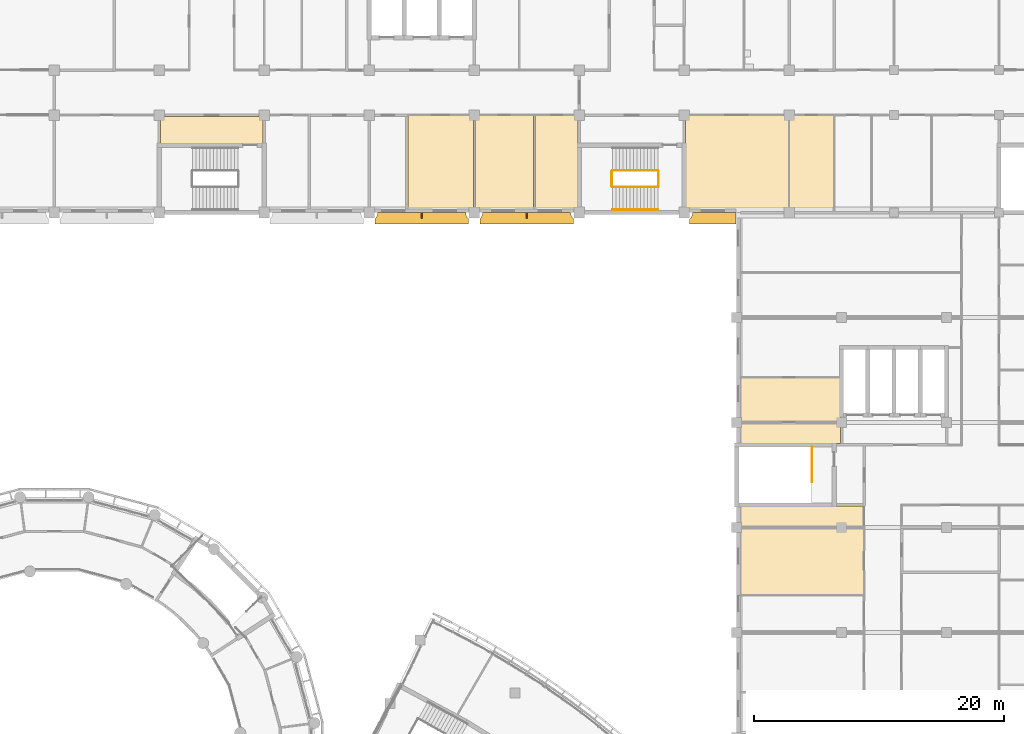
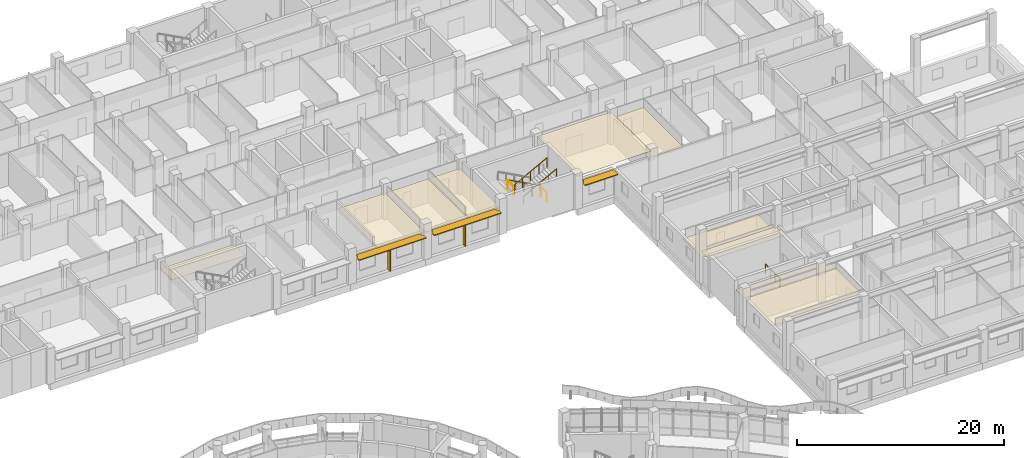
# One storey, part 103 of 109: 10 coverings, 6 railings, 5 shading devices.
"""IFC4 building model written with IfcOpenShell, lengths in metres."""

from ifc_helpers import new_model, si_unit, direction, frame, origin, origin_2d, place, context, subcontext, project, spatial, polyline, rectangle, circle, outline, extrude, material, layer, layer_set, material_profile, profile_set, type_object, element, save


model = new_model("IFC4")

# Units and contexts
model_context = context("Model", 3, precision=1e-05, world=origin(), true_north=direction((0.0, 1.0)))
body_context = subcontext(model_context, "Body", "Model", "MODEL_VIEW")
ifc_project = project(units=[si_unit("LENGTHUNIT", "METRE"), si_unit("AREAUNIT", "SQUARE_METRE"), si_unit("VOLUMEUNIT", "CUBIC_METRE"), si_unit("PLANEANGLEUNIT", "RADIAN"), si_unit("MASSUNIT", "GRAM", prefix="KILO")], contexts=[model_context])

# Site, building, storey
site_placement = place(None, origin())
site = spatial("IfcSite", under=ifc_project, at=site_placement, CompositionType="ELEMENT")
building_placement = place(site_placement, origin())
building = spatial("IfcBuilding", under=site, at=building_placement, Name="Bougainvillea Quay General Hospital", CompositionType="ELEMENT")
storey_placement = place(building_placement, frame((0.0, 0.0, 12.60009765625)))
storey = spatial("IfcBuildingStorey", under=building, at=storey_placement, Name="L02", CompositionType="ELEMENT", Elevation=12.60009765625)

# Railings
ifc_material_1 = material(Name="Stainless steel 304 balustrade", Category="steel")
railing_type_1 = type_object("IfcRailingType", Name="Stair guard 1100", PredefinedType="GUARDRAIL", material=ifc_material_1)
railing_1_placement = place(storey_placement, frame((169.824951171875, 98.824951171875, 0.0)))
element("IfcRailing", 1, at=railing_1_placement, inside=storey, type_object=railing_type_1, Name="L02 ST-T1 top well guard 1", PredefinedType="GUARDRAIL", context=body_context, shape_type="SweptSolid", body=[
    extrude(circle(Radius=0.02392578125, at=origin_2d()), frame((0.0, 0.0, 1.076171875), z_axis=(0.0, -1.0, 0.0), x_axis=(1.0, 0.0, 0.0)), (0.0, 0.0, 1.0), 2.800048828125),
    extrude(circle(Radius=0.02099609375, at=origin_2d()), origin(), (0.0, 0.0, 1.0), 1.052001953125),
    extrude(circle(Radius=0.02099609375, at=origin_2d()), frame((0.0, -0.933349609375, 0.0)), (0.0, 0.0, 1.0), 1.052001953125),
    extrude(circle(Radius=0.02099609375, at=origin_2d()), frame((0.0, -1.86669921875, 0.0)), (0.0, 0.0, 1.0), 1.052001953125),
    extrude(circle(Radius=0.02099609375, at=origin_2d()), frame((0.0, -2.800048828125, 0.0)), (0.0, 0.0, 1.0), 1.052001953125),
])
railing_2_placement = place(storey_placement, frame((157.5, 120.949951171875, 0.14990234375)))
element("IfcRailing", 2, at=railing_2_placement, inside=storey, type_object=railing_type_1, Name="L02 ST-B4 stair guard 1", PredefinedType="GUARDRAIL", context=body_context, shape_type="SweptSolid", body=[
    extrude(circle(Radius=0.02392578125, at=origin_2d()), frame((0.0, 0.0, 1.076171875), z_axis=(-0.881479091078, 0.0, 0.472223053219), x_axis=(0.0, -1.0, 0.0)), (0.0, 0.0, 1.0), 4.12939453125),
    extrude(circle(Radius=0.02099609375, at=origin_2d()), origin(), (0.0, 0.0, 1.0), 1.052001953125),
    extrude(circle(Radius=0.02099609375, at=origin_2d()), frame((-0.909912109375, 0.0, 0.487548828125)), (0.0, 0.0, 1.0), 1.052001953125),
    extrude(circle(Radius=0.02099609375, at=origin_2d()), frame((-1.81982421875, 0.0, 0.97509765625)), (0.0, 0.0, 1.0), 1.052001953125),
    extrude(circle(Radius=0.02099609375, at=origin_2d()), frame((-2.72998046875, 0.0, 1.46240234375)), (0.0, 0.0, 1.0), 1.052001953125),
    extrude(circle(Radius=0.02099609375, at=origin_2d()), frame((-3.639892578125, 0.0, 1.949951171875)), (0.0, 0.0, 1.0), 1.052001953125),
])
railing_3_placement = place(storey_placement, frame((153.81005859375, 120.89990234375, 2.099853515625)))
element("IfcRailing", 3, at=railing_3_placement, inside=storey, type_object=railing_type_1, Name="L02 ST-B4 stair guard 2", PredefinedType="GUARDRAIL", context=body_context, shape_type="SweptSolid", body=[
    extrude(circle(Radius=0.02392578125, at=origin_2d()), frame((0.0, 0.0, 1.076171875), z_axis=(0.0, -1.0, 0.0), x_axis=(1.0, 0.0, 0.0)), (0.0, 0.0, 1.0), 1.199951171875),
    extrude(circle(Radius=0.02099609375, at=origin_2d()), origin(), (0.0, 0.0, 1.0), 1.052001953125),
    extrude(circle(Radius=0.02099609375, at=origin_2d()), frame((0.0, -1.199951171875, 0.0)), (0.0, 0.0, 1.0), 1.052001953125),
])
railing_4_placement = place(storey_placement, frame((153.860107421875, 119.64990234375, 2.25)))
element("IfcRailing", 4, at=railing_4_placement, inside=storey, type_object=railing_type_1, Name="L02 ST-B4 stair guard 3", PredefinedType="GUARDRAIL", context=body_context, shape_type="SweptSolid", body=[
    extrude(circle(Radius=0.02392578125, at=origin_2d()), frame((0.0, 0.0, 1.076171875), z_axis=(0.881479091078, 0.0, 0.472223053219), x_axis=(0.0, 1.0, 0.0)), (0.0, 0.0, 1.0), 4.12939453125),
    extrude(circle(Radius=0.02099609375, at=origin_2d()), origin(), (0.0, 0.0, 1.0), 1.052001953125),
    extrude(circle(Radius=0.02099609375, at=origin_2d()), frame((0.909912109375, 0.0, 0.487548828125)), (0.0, 0.0, 1.0), 1.052001953125),
    extrude(circle(Radius=0.02099609375, at=origin_2d()), frame((1.81982421875, 0.0, 0.97509765625)), (0.0, 0.0, 1.0), 1.052001953125),
    extrude(circle(Radius=0.02099609375, at=origin_2d()), frame((2.72998046875, 0.0, 1.46240234375)), (0.0, 0.0, 1.0), 1.052001953125),
    extrude(circle(Radius=0.02099609375, at=origin_2d()), frame((3.639892578125, 0.0, 1.949951171875)), (0.0, 0.0, 1.0), 1.052001953125),
])
railing_5_placement = place(storey_placement, frame((157.550048828125, 120.89990234375, 0.0)))
element("IfcRailing", 5, at=railing_5_placement, inside=storey, type_object=railing_type_1, Name="L02 ST-B4 stair guard 4", PredefinedType="GUARDRAIL", context=body_context, shape_type="SweptSolid", body=[
    extrude(circle(Radius=0.02392578125, at=origin_2d()), frame((0.0, 0.0, 1.076171875), z_axis=(0.0, -1.0, 0.0), x_axis=(1.0, 0.0, 0.0)), (0.0, 0.0, 1.0), 1.199951171875),
    extrude(circle(Radius=0.02099609375, at=origin_2d()), origin(), (0.0, 0.0, 1.0), 1.052001953125),
    extrude(circle(Radius=0.02099609375, at=origin_2d()), frame((0.0, -1.199951171875, 0.0)), (0.0, 0.0, 1.0), 1.052001953125),
])
ifc_material_2 = material(Name="Stainless steel 304 handrail", Category="steel")
railing_type_2 = type_object("IfcRailingType", Name="Stair handrail 900", PredefinedType="HANDRAIL", material=ifc_material_2)
railing_6_placement = place(storey_placement, frame((153.860107421875, 117.824951171875, 2.25)))
element("IfcRailing", 6, at=railing_6_placement, inside=storey, type_object=railing_type_2, Name="L02 ST-B4 stair handrail 2", PredefinedType="HANDRAIL", context=body_context, shape_type="SweptSolid", body=[
    extrude(circle(Radius=0.02392578125, at=origin_2d()), frame((0.0, 0.0, 0.8759765625), z_axis=(0.881479091078, 0.0, 0.472223053219), x_axis=(0.0, 1.0, 0.0)), (0.0, 0.0, 1.0), 4.12939453125),
    extrude(circle(Radius=0.02099609375, at=origin_2d()), origin(), (0.0, 0.0, 1.0), 0.851806640625),
    extrude(circle(Radius=0.02099609375, at=origin_2d()), frame((0.909912109375, 0.0, 0.487548828125)), (0.0, 0.0, 1.0), 0.851806640625),
    extrude(circle(Radius=0.02099609375, at=origin_2d()), frame((1.81982421875, 0.0, 0.97509765625)), (0.0, 0.0, 1.0), 0.851806640625),
    extrude(circle(Radius=0.02099609375, at=origin_2d()), frame((2.72998046875, 0.0, 1.46240234375)), (0.0, 0.0, 1.0), 0.851806640625),
    extrude(circle(Radius=0.02099609375, at=origin_2d()), frame((3.639892578125, 0.0, 1.949951171875)), (0.0, 0.0, 1.0), 0.851806640625),
])

# Shading devices
ifc_material_3 = material(Name="Powder-coated aluminium canopy soffit and fascia, white", Category="aluminium")
ifc_layer_1 = layer(ifc_material_3, 0.10009765625)
ifc_layer_set_1 = layer_set([ifc_layer_1], Name="Powder-coated aluminium canopy soffit and fascia, white")
shading_device_type_1 = type_object("IfcShadingDeviceType", Name="Sunshade 100", PredefinedType="USERDEFINED", material=ifc_layer_set_1)
shading_device_1_placement = place(storey_placement, frame((0.0, 0.0, 2.849853515625)))
element("IfcShadingDevice", 7, at=shading_device_1_placement, inside=storey, type_object=shading_device_type_1, Name="Sunshade 0", ObjectType="Sunshade", PredefinedType="USERDEFINED", context=body_context, shape_type="SweptSolid", body=[
    extrude(outline(polyline([(142.125, 117.60009765625), (135.074951171875, 117.60009765625), (135.06201171875, 117.46826171875), (135.023681640625, 117.341796875), (134.961181640625, 117.22509765625), (134.921875, 117.171875), (134.85009765625, 117.097900390625), (134.85009765625, 116.699951171875), (142.35009765625, 116.699951171875), (142.35009765625, 117.097900390625), (142.2783203125, 117.171875), (142.23876953125, 117.22509765625), (142.17626953125, 117.341796875), (142.137939453125, 117.46826171875), (142.125, 117.60009765625)])), origin(), (0.0, 0.0, 1.0), 0.10009765625),
])
shading_device_2_placement = place(storey_placement, frame((0.0, 0.0, 2.849853515625)))
element("IfcShadingDevice", 8, at=shading_device_2_placement, inside=storey, type_object=shading_device_type_1, Name="Sunshade 0", ObjectType="Sunshade", PredefinedType="USERDEFINED", context=body_context, shape_type="SweptSolid", body=[
    extrude(outline(polyline([(150.52490234375, 117.60009765625), (143.47509765625, 117.60009765625), (143.4619140625, 117.46826171875), (143.423583984375, 117.341796875), (143.361328125, 117.22509765625), (143.32177734375, 117.171875), (143.25, 117.097900390625), (143.25, 116.699951171875), (150.75, 116.699951171875), (150.75, 117.097900390625), (150.67822265625, 117.171875), (150.638671875, 117.22509765625), (150.576416015625, 117.341796875), (150.5380859375, 117.46826171875), (150.52490234375, 117.60009765625)])), origin(), (0.0, 0.0, 1.0), 0.10009765625),
])
shading_device_3_placement = place(storey_placement, frame((0.0, 0.0, 2.849853515625)))
element("IfcShadingDevice", 9, at=shading_device_3_placement, inside=storey, type_object=shading_device_type_1, Name="Sunshade 0", ObjectType="Sunshade", PredefinedType="USERDEFINED", context=body_context, shape_type="SweptSolid", body=[
    extrude(outline(polyline([(163.739990234375, 117.60009765625), (160.27490234375, 117.60009765625), (160.261962890625, 117.46826171875), (160.2236328125, 117.341796875), (160.1611328125, 117.22509765625), (160.121826171875, 117.171875), (160.050048828125, 117.097900390625), (160.050048828125, 116.699951171875), (163.739990234375, 116.699951171875), (163.739990234375, 117.60009765625)])), origin(), (0.0, 0.0, 1.0), 0.10009765625),
])

# Coverings
ifc_material_4 = material(Name="Mineral fibre ceiling tile")
ifc_layer_2 = layer(ifc_material_4, 0.030029296875)
ifc_layer_set_2 = layer_set([ifc_layer_2], Name="Mineral fibre ceiling tile")
covering_type = type_object("IfcCoveringType", Name="Suspended ceiling mineral fibre tile", PredefinedType="CEILING", material=ifc_layer_set_2)
covering_1_placement = place(storey_placement, frame((0.0, 0.0, 2.699951171875)))
element("IfcCovering", 10, at=covering_1_placement, inside=storey, type_object=covering_type, Name="Ceiling Smoke-proof Stair Vestibule ST-B3", PredefinedType="CEILING", context=body_context, shape_type="SweptSolid", body=[
    extrude(outline(polyline([(125.89990234375, 125.300048828125), (117.699951171875, 125.300048828125), (117.699951171875, 123.10009765625), (125.89990234375, 123.10009765625), (125.89990234375, 125.300048828125)])), origin(), (0.0, 0.0, 1.0), 0.030029296875),
])
covering_2_placement = place(storey_placement, frame((0.0, 0.0, 3.0)))
element("IfcCovering", 11, at=covering_2_placement, inside=storey, type_object=covering_type, Name="Ceiling Day Surgery Operating Theatre 01", PredefinedType="CEILING", context=body_context, shape_type="SweptSolid", body=[
    extrude(outline(polyline([(163.800048828125, 92.449951171875), (173.949951171875, 92.449951171875), (173.949951171875, 94.10009765625), (171.5, 94.10009765625), (171.5, 94.14990234375), (163.800048828125, 94.14990234375), (163.800048828125, 92.449951171875)])), origin(), (0.0, 0.0, 1.0), 0.02978515625),
])
covering_3_placement = place(storey_placement, frame((0.0, 0.0, 3.0)))
element("IfcCovering", 12, at=covering_3_placement, inside=storey, type_object=covering_type, Name="Ceiling Day Surgery Operating Theatre 02", PredefinedType="CEILING", context=body_context, shape_type="SweptSolid", body=[
    extrude(outline(polyline([(163.800048828125, 87.050048828125), (173.949951171875, 87.050048828125), (173.949951171875, 92.35009765625), (163.800048828125, 92.35009765625), (163.800048828125, 87.050048828125)])), origin(), (0.0, 0.0, 1.0), 0.02978515625),
])
covering_4_placement = place(storey_placement, frame((0.0, 0.0, 3.5)))
element("IfcCovering", 13, at=covering_4_placement, inside=storey, type_object=covering_type, Name="Ceiling Surgeons' Lounge", PredefinedType="CEILING", context=body_context, shape_type="SweptSolid", body=[
    extrude(outline(polyline([(163.800048828125, 99.050048828125), (171.5, 99.050048828125), (171.5, 99.10009765625), (172.10009765625, 99.10009765625), (172.10009765625, 100.75), (163.800048828125, 100.75), (163.800048828125, 99.050048828125)])), origin(), (0.0, 0.0, 1.0), 0.02978515625),
])
covering_5_placement = place(storey_placement, frame((0.0, 0.0, 2.7998046875)))
element("IfcCovering", 14, at=covering_5_placement, inside=storey, type_object=covering_type, Name="Ceiling Surgeons' Office 01", PredefinedType="CEILING", context=body_context, shape_type="SweptSolid", body=[
    extrude(outline(polyline([(163.800048828125, 100.85009765625), (172.10009765625, 100.85009765625), (172.10009765625, 101.5), (172.14990234375, 101.5), (172.14990234375, 104.347900390625), (163.800048828125, 104.347900390625), (163.800048828125, 100.85009765625)])), origin(), (0.0, 0.0, 1.0), 0.030029296875),
])
covering_6_placement = place(storey_placement, frame((0.0, 0.0, 2.7998046875)))
element("IfcCovering", 15, at=covering_6_placement, inside=storey, type_object=covering_type, Name="Ceiling Clinical Trial Ward Bay Room 01", PredefinedType="CEILING", context=body_context, shape_type="SweptSolid", body=[
    extrude(outline(polyline([(137.5, 117.64794921875), (142.75, 117.64794921875), (142.75, 125.35009765625), (137.5, 125.35009765625), (137.5, 117.64794921875)])), origin(), (0.0, 0.0, 1.0), 0.030029296875),
])
covering_7_placement = place(storey_placement, frame((0.0, 0.0, 2.7998046875)))
element("IfcCovering", 16, at=covering_7_placement, inside=storey, type_object=covering_type, Name="Ceiling Research Data Office", PredefinedType="CEILING", context=body_context, shape_type="SweptSolid", body=[
    extrude(outline(polyline([(142.85009765625, 117.64794921875), (147.550048828125, 117.64794921875), (147.550048828125, 125.35009765625), (142.85009765625, 125.35009765625), (142.85009765625, 117.64794921875)])), origin(), (0.0, 0.0, 1.0), 0.030029296875),
])
covering_8_placement = place(storey_placement, frame((0.0, 0.0, 2.7998046875)))
element("IfcCovering", 17, at=covering_8_placement, inside=storey, type_object=covering_type, Name="Ceiling Clinical Trial Consulting Room 02", PredefinedType="CEILING", context=body_context, shape_type="SweptSolid", body=[
    extrude(outline(polyline([(151.10009765625, 125.35009765625), (147.64990234375, 125.35009765625), (147.64990234375, 117.64794921875), (151.14990234375, 117.64794921875), (151.14990234375, 122.89990234375), (151.10009765625, 122.89990234375), (151.10009765625, 125.35009765625)])), origin(), (0.0, 0.0, 1.0), 0.030029296875),
])
covering_9_placement = place(storey_placement, frame((0.0, 0.0, 3.5498046875)))
element("IfcCovering", 18, at=covering_9_placement, inside=storey, type_object=covering_type, Name="Ceiling Day Surgery Admission Lounge", PredefinedType="CEILING", context=body_context, shape_type="SweptSolid", body=[
    extrude(outline(polyline([(159.60009765625, 117.597900390625), (163.800048828125, 117.597900390625), (163.800048828125, 117.699951171875), (167.949951171875, 117.699951171875), (167.949951171875, 125.35009765625), (159.699951171875, 125.35009765625), (159.699951171875, 122.89990234375), (159.64990234375, 122.89990234375), (159.64990234375, 117.60009765625), (159.60009765625, 117.60009765625), (159.60009765625, 117.597900390625)])), origin(), (0.0, 0.0, 1.0), 0.030029296875),
])
covering_10_placement = place(storey_placement, frame((0.0, 0.0, 2.7998046875)))
element("IfcCovering", 19, at=covering_10_placement, inside=storey, type_object=covering_type, Name="Ceiling Day Surgery Pre-assessment Room 01", PredefinedType="CEILING", context=body_context, shape_type="SweptSolid", body=[
    extrude(outline(polyline([(171.550048828125, 117.699951171875), (171.550048828125, 125.35009765625), (168.050048828125, 125.35009765625), (168.050048828125, 117.699951171875), (171.550048828125, 117.699951171875)])), origin(), (0.0, 0.0, 1.0), 0.030029296875),
])

# Shading devices
ifc_material_5 = material(Name="Powder-coated aluminium fin, white", Category="aluminium")
ifc_material_profile = material_profile(ifc_material_5, rectangle(XDim=0.449951171875, YDim=0.10009765625, at=origin_2d()))
ifc_profile_set = profile_set([ifc_material_profile], Name="Powder-coated aluminium fin, white")
shading_device_type_2 = type_object("IfcShadingDeviceType", Name="Vertical fin 450x100", PredefinedType="USERDEFINED", material=ifc_profile_set)
for number, where, z_axis, x_axis, name in (
    (20, (138.60009765625, 117.375, 0.0), (0.0, 0.0, 1.0), (0.0, -1.0, 0.0), "Vertical fin 04d 1"),
    (21, (147.0, 117.375, 0.0), (0.0, 0.0, 1.0), (0.0, -1.0, 0.0), "Vertical fin 04e 1"),
):
    element("IfcShadingDevice", number, at=place(storey_placement, frame(where, z_axis=z_axis, x_axis=x_axis)), inside=storey, type_object=shading_device_type_2, Name=name, ObjectType="Vertical fin", PredefinedType="USERDEFINED", context=body_context, shape_type="SweptSolid", body=[
        extrude(rectangle(XDim=0.449951171875, YDim=0.10009765625, at=origin_2d()), origin(), (0.0, 0.0, 1.0), 2.849853515625),
    ])

save(model, "model.ifc")
